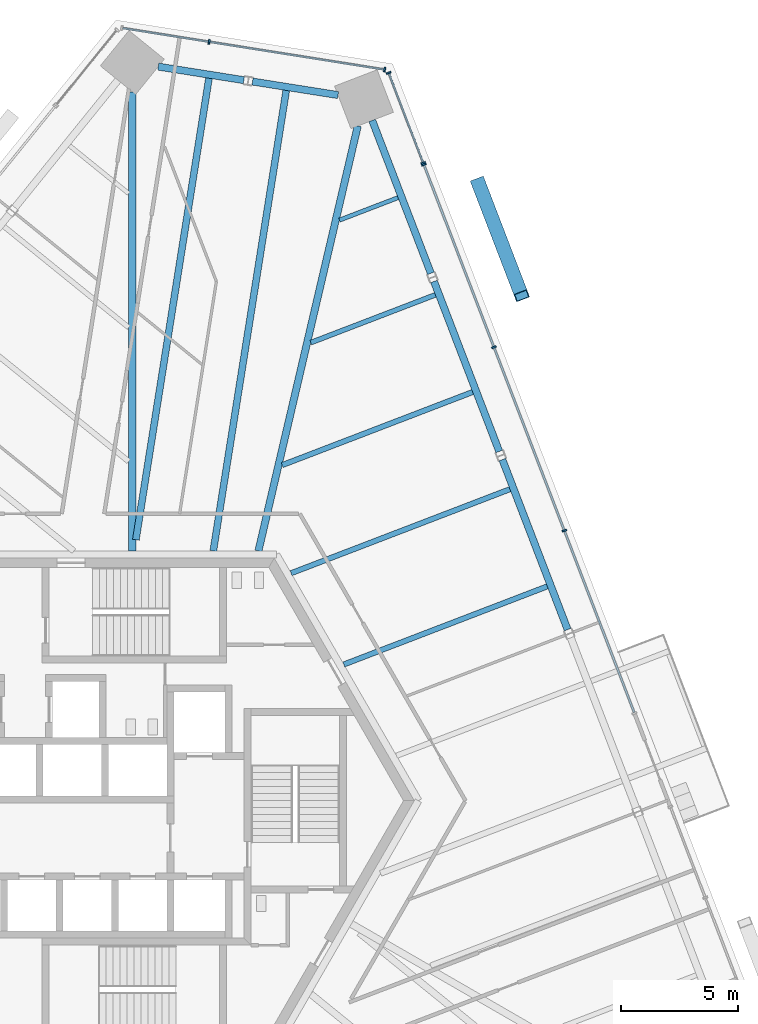
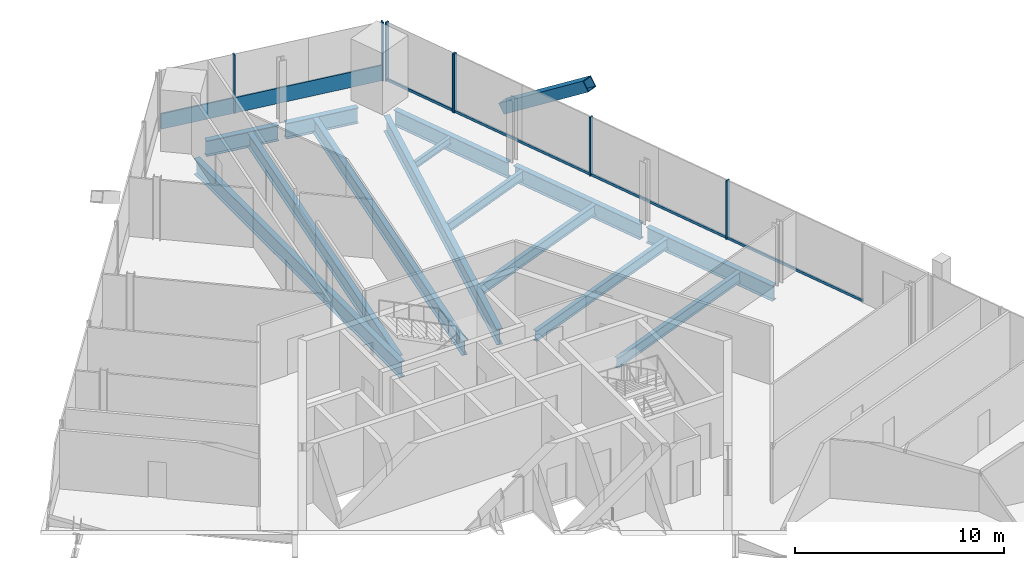
# One storey, part 9 of 19: 14 beams, 14 members, 3 elements without a shape of their own.
"""IFC4 building model written with IfcOpenShell, lengths in metres."""

from ifc_helpers import new_model, si_unit, direction, frame, origin, origin_2d, place, context, subcontext, project, spatial, rectangle, hollow_rectangle, i_section, extrude, source, transform, mapped, material, material_profile, profile_set, type_object, element, aggregate, save


model = new_model("IFC4")

# Units and contexts
model_context = context("Model", 3, precision=1e-05, world=origin(), true_north=direction((0.0, 1.0)))
body_context = subcontext(model_context, "Body", "Model", "MODEL_VIEW")
ifc_project = project(units=[si_unit("LENGTHUNIT", "METRE"), si_unit("AREAUNIT", "SQUARE_METRE"), si_unit("VOLUMEUNIT", "CUBIC_METRE"), si_unit("PLANEANGLEUNIT", "RADIAN"), si_unit("MASSUNIT", "GRAM", prefix="KILO")], contexts=[model_context])

# Site, building, storey
site_placement = place(None, origin())
site = spatial("IfcSite", under=ifc_project, at=site_placement, CompositionType="ELEMENT")
building_placement = place(site_placement, origin())
building = spatial("IfcBuilding", under=site, at=building_placement, Name="Triune Harvest Tower", CompositionType="ELEMENT")
storey_placement = place(building_placement, frame((0.0, 0.0, 142.5)))
storey = spatial("IfcBuildingStorey", under=building, at=storey_placement, Name="L36", CompositionType="ELEMENT", Elevation=142.5)

# Curtain wall, member
ifc_material_1 = material(Name="Aluminium bronze anodised", Category="aluminium")
curtain_wall_type_1 = type_object("IfcCurtainWallType", Name="CW-10 Balcony window wall with insulated spandrel infill", PredefinedType="NOTDEFINED", material=ifc_material_1)
curtain_wall_1_placement = place(storey_placement, origin())
curtain_wall_1 = element("IfcCurtainWall", 1, at=curtain_wall_1_placement, inside=storey, type_object=curtain_wall_type_1, Name="CW-10 B4-F1 L36 run 2")
ifc_material_2 = material(Name="Aluminium bronze anodised", Category="aluminium")
ifc_material_profile_1 = material_profile(ifc_material_2, rectangle(XDim=0.090087890625, YDim=0.14990234375, at=origin_2d()), Name="TR-6 transom 90 x 150")
ifc_profile_set_1 = profile_set([ifc_material_profile_1], Name="Aluminium bronze anodised")
member_type_1 = type_object("IfcMemberType", Name="TR-6 transom 90 x 150", PredefinedType="USERDEFINED", material=ifc_profile_set_1)
member_1_placement = place(storey_placement, frame((18.41552734375, 11.603271484375, 0.074951171875), z_axis=(-0.358365114761, 0.933581514664, 0.0), x_axis=(-0.933581514664, -0.358365114761, 0.0)))
member_1 = element("IfcMember", 2, at=member_1_placement, type_object=member_type_1, Name="CW-10 transom B4-F1 2.2", ObjectType="TRANSOM", PredefinedType="USERDEFINED", context=body_context, shape_type="SweptSolid", body=[
    extrude(rectangle(XDim=0.090087890625, YDim=0.14990234375, at=origin_2d()), origin(), (0.0, 0.0, 1.0), 8.34130859375),
])

# Beams
ifc_material_3 = material(Name="Steel ASTM A992 Gr 50", Category="steel")
ifc_material_profile_2 = material_profile(ifc_material_3, i_section(OverallWidth=0.3046875, OverallDepth=0.914306640625, WebThickness=0.0166015625, FlangeThickness=0.02587890625, at=origin_2d()), Name="W36x160")
ifc_profile_set_2 = profile_set([ifc_material_profile_2], Name="Steel ASTM A992 Gr 50")
beam_type_1 = type_object("IfcBeamType", Name="SB-1 Spandrel beam W36x160", PredefinedType="SPANDREL", material=ifc_profile_set_2)
shared_shape_1 = source(origin(), body_context, "Body", "SweptSolid", [
    extrude(i_section(OverallWidth=0.3046875, OverallDepth=0.914306640625, WebThickness=0.0166015625, FlangeThickness=0.02587890625, at=origin_2d()), origin(), (0.0, 0.0, 1.0), 7.013427734375),
])
beam_1_placement = place(storey_placement, frame((12.709716796875, 22.592041015625, -0.6171875), z_axis=(-0.358372513984, 0.93357867436, 0.0), x_axis=(-0.93357867436, -0.358372513984, 0.0)))
element("IfcBeam", 3, at=beam_1_placement, inside=storey, type_object=beam_type_1, Name="beam/L36/SB6", PredefinedType="SPANDREL", context=body_context, shape_type="MappedRepresentation", body=[
    mapped(shared_shape_1, transform((0.0, 0.0, 0.0), scale=1.0)),
])
shared_shape_2 = source(origin(), body_context, "Body", "SweptSolid", [
    extrude(i_section(OverallWidth=0.3046875, OverallDepth=0.914306640625, WebThickness=0.0166015625, FlangeThickness=0.02587890625, at=origin_2d()), origin(), (0.0, 0.0, 1.0), 7.8017578125),
])
for number, where, z_axis, x_axis, name in (
    (4, (18.569091796875, 7.327880859375, -0.6171875), (-0.358372974677, 0.933578497514, 0.0), (-0.933578497514, -0.358372974677, 0.0), "beam/L36/SB4"),
    (5, (15.639404296875, 14.9599609375, -0.6171875), (-0.358372974677, 0.933578497514, 0.0), (-0.933578497514, -0.358372974677, 0.0), "beam/L36/SB5"),
):
    element("IfcBeam", number, at=place(storey_placement, frame(where, z_axis=z_axis, x_axis=x_axis)), inside=storey, type_object=beam_type_1, Name=name, PredefinedType="SPANDREL", context=body_context, shape_type="MappedRepresentation", body=[
        mapped(shared_shape_2, transform((0.0, 0.0, 0.0), scale=1.0)),
    ])
shared_shape_3 = source(origin(), body_context, "Body", "SweptSolid", [
    extrude(i_section(OverallWidth=0.3046875, OverallDepth=0.914306640625, WebThickness=0.0166015625, FlangeThickness=0.02587890625, at=origin_2d()), origin(), (0.0, 0.0, 1.0), 3.71240234375),
])
for number, where, z_axis, x_axis, name in (
    (6, (8.735107421875, 30.225830078125, -0.6171875), (-0.987686063537, 0.156448841145, 0.0), (-0.156448841145, -0.987686063537, 0.0), "beam/L36/SB7"),
    (7, (4.699462890625, 30.864990234375, -0.6171875), (-0.987686063537, 0.156448841145, 0.0), (-0.156448841145, -0.987686063537, 0.0), "beam/L36/SB8"),
):
    element("IfcBeam", number, at=place(storey_placement, frame(where, z_axis=z_axis, x_axis=x_axis)), inside=storey, type_object=beam_type_1, Name=name, PredefinedType="SPANDREL", context=body_context, shape_type="MappedRepresentation", body=[
        mapped(shared_shape_3, transform((0.0, 0.0, 0.0), scale=1.0)),
    ])
ifc_material_4 = material(Name="Steel ASTM A992 Gr 50", Category="steel")
ifc_material_profile_3 = material_profile(ifc_material_4, i_section(OverallWidth=0.307373046875, OverallDepth=0.922119140625, WebThickness=0.018310546875, FlangeThickness=0.030029296875, at=origin_2d()), Name="W36x182")
ifc_profile_set_3 = profile_set([ifc_material_profile_3], Name="Steel ASTM A992 Gr 50")
beam_type_2 = type_object("IfcBeamType", Name="HG-2 Hip girder W36x182", PredefinedType="BEAM", material=ifc_profile_set_3)
shared_shape_4 = source(origin(), body_context, "Body", "SweptSolid", [
    extrude(i_section(OverallWidth=0.307373046875, OverallDepth=0.922119140625, WebThickness=0.018310546875, FlangeThickness=0.030029296875, at=origin_2d()), origin(), (0.0, 0.0, 1.0), 18.6962890625),
])
beam_2_placement = place(storey_placement, frame((9.578857421875, 28.902587890625, -0.62109375), z_axis=(-0.227605246905, -0.973753486043, 0.0), x_axis=(0.973753486043, -0.227605246905, 0.0)))
element("IfcBeam", 8, at=beam_2_placement, inside=storey, type_object=beam_type_2, Name="beam/L36/HG3", PredefinedType="BEAM", context=body_context, shape_type="MappedRepresentation", body=[
    mapped(shared_shape_4, transform((0.0, 0.0, 0.0), scale=1.0)),
])
shared_shape_5 = source(origin(), body_context, "Body", "SweptSolid", [
    extrude(i_section(OverallWidth=0.307373046875, OverallDepth=0.922119140625, WebThickness=0.018310546875, FlangeThickness=0.030029296875, at=origin_2d()), origin(), (0.0, 0.0, 1.0), 19.670166015625),
])
beam_3_placement = place(storey_placement, frame((-0.0791015625, 30.3671875, -0.62109375), z_axis=(0.0, -1.0, 0.0), x_axis=(1.0, 0.0, 0.0)))
element("IfcBeam", 9, at=beam_3_placement, inside=storey, type_object=beam_type_2, Name="beam/L36/HG4", PredefinedType="BEAM", context=body_context, shape_type="MappedRepresentation", body=[
    mapped(shared_shape_5, transform((0.0, 0.0, 0.0), scale=1.0)),
])
ifc_material_5 = material(Name="Steel ASTM A992 Gr 50", Category="steel")
ifc_material_profile_4 = material_profile(ifc_material_5, i_section(OverallWidth=0.22900390625, OverallDepth=0.612060546875, WebThickness=0.011962890625, FlangeThickness=0.01953125, at=origin_2d()), Name="W24x84")
ifc_profile_set_4 = profile_set([ifc_material_profile_4], Name="Steel ASTM A992 Gr 50")
beam_type_3 = type_object("IfcBeamType", Name="JT-3 Floor joist W24x84", PredefinedType="JOIST", material=ifc_profile_set_4)
shared_shape_6 = source(origin(), body_context, "Body", "SweptSolid", [
    extrude(i_section(OverallWidth=0.22900390625, OverallDepth=0.612060546875, WebThickness=0.011962890625, FlangeThickness=0.01953125, at=origin_2d()), origin(), (0.0, 0.0, 1.0), 9.33203125),
])
beam_4_placement = place(storey_placement, frame((17.694580078125, 9.180419921875, -0.466064453125), z_axis=(-0.933582072806, -0.358363660734, 0.0), x_axis=(0.358363660734, -0.933582072806, 0.0)))
element("IfcBeam", 10, at=beam_4_placement, inside=storey, type_object=beam_type_3, Name="beam/L36/JT6", PredefinedType="JOIST", context=body_context, shape_type="MappedRepresentation", body=[
    mapped(shared_shape_6, transform((0.0, 0.0, 0.0), scale=1.0)),
])
shared_shape_7 = source(origin(), body_context, "Body", "SweptSolid", [
    extrude(i_section(OverallWidth=0.22900390625, OverallDepth=0.612060546875, WebThickness=0.011962890625, FlangeThickness=0.01953125, at=origin_2d()), origin(), (0.0, 0.0, 1.0), 10.038330078125),
])
beam_5_placement = place(storey_placement, frame((16.0966796875, 13.343505859375, -0.466064453125), z_axis=(-0.933580465952, -0.358367846762, 0.0), x_axis=(0.358367846762, -0.933580465952, 0.0)))
element("IfcBeam", 11, at=beam_5_placement, inside=storey, type_object=beam_type_3, Name="beam/L36/JT7", PredefinedType="JOIST", context=body_context, shape_type="MappedRepresentation", body=[
    mapped(shared_shape_7, transform((0.0, 0.0, 0.0), scale=1.0)),
])
shared_shape_8 = source(origin(), body_context, "Body", "SweptSolid", [
    extrude(i_section(OverallWidth=0.22900390625, OverallDepth=0.612060546875, WebThickness=0.011962890625, FlangeThickness=0.01953125, at=origin_2d()), origin(), (0.0, 0.0, 1.0), 8.738037109375),
])
beam_6_placement = place(storey_placement, frame((14.498779296875, 17.50634765625, -0.466064453125), z_axis=(-0.933584472757, -0.358357408499, 0.0), x_axis=(0.358357408499, -0.933584472757, 0.0)))
element("IfcBeam", 12, at=beam_6_placement, inside=storey, type_object=beam_type_3, Name="beam/L36/JT8", PredefinedType="JOIST", context=body_context, shape_type="MappedRepresentation", body=[
    mapped(shared_shape_8, transform((0.0, 0.0, 0.0), scale=1.0)),
])
ifc_material_6 = material(Name="Steel ASTM A992 Gr 50", Category="steel")
ifc_material_profile_5 = material_profile(ifc_material_6, i_section(OverallWidth=0.2099609375, OverallDepth=0.535888671875, WebThickness=0.010986328125, FlangeThickness=0.017333984375, at=origin_2d()), Name="W21x68")
ifc_profile_set_5 = profile_set([ifc_material_profile_5], Name="Steel ASTM A992 Gr 50")
beam_type_4 = type_object("IfcBeamType", Name="JT-2 Floor joist W21x68", PredefinedType="JOIST", material=ifc_profile_set_5)
shared_shape_9 = source(origin(), body_context, "Body", "SweptSolid", [
    extrude(i_section(OverallWidth=0.2099609375, OverallDepth=0.535888671875, WebThickness=0.010986328125, FlangeThickness=0.017333984375, at=origin_2d()), origin(), (0.0, 0.0, 1.0), 5.712890625),
])
beam_7_placement = place(storey_placement, frame((12.90087890625, 21.669189453125, -0.427978515625), z_axis=(-0.933593203906, -0.358334661483, 0.0), x_axis=(0.358334661483, -0.933593203906, 0.0)))
element("IfcBeam", 13, at=beam_7_placement, inside=storey, type_object=beam_type_4, Name="beam/L36/JT9", PredefinedType="JOIST", context=body_context, shape_type="MappedRepresentation", body=[
    mapped(shared_shape_9, transform((0.0, 0.0, 0.0), scale=1.0)),
])
ifc_material_7 = material(Name="Steel ASTM A992 Gr 50", Category="steel")
ifc_material_profile_6 = material_profile(ifc_material_7, i_section(OverallWidth=0.180908203125, OverallDepth=0.41650390625, WebThickness=0.010986328125, FlangeThickness=0.01806640625, at=origin_2d()), Name="W16x57")
ifc_profile_set_6 = profile_set([ifc_material_profile_6], Name="Steel ASTM A992 Gr 50")
beam_type_5 = type_object("IfcBeamType", Name="JT-1 Floor joist W16x57", PredefinedType="JOIST", material=ifc_profile_set_6)
shared_shape_10 = source(origin(), body_context, "Body", "SweptSolid", [
    extrude(i_section(OverallWidth=0.180908203125, OverallDepth=0.41650390625, WebThickness=0.010986328125, FlangeThickness=0.01806640625, at=origin_2d()), origin(), (0.0, 0.0, 1.0), 2.687255859375),
])
beam_8_placement = place(storey_placement, frame((11.302734375, 25.832275390625, -0.368408203125), z_axis=(-0.933567867424, -0.358400665336, 0.0), x_axis=(0.358400665336, -0.933567867424, 0.0)))
element("IfcBeam", 14, at=beam_8_placement, inside=storey, type_object=beam_type_5, Name="beam/L36/JT10", PredefinedType="JOIST", context=body_context, shape_type="MappedRepresentation", body=[
    mapped(shared_shape_10, transform((0.0, 0.0, 0.0), scale=1.0)),
])
ifc_material_8 = material(Name="Steel ASTM A992 Gr 50", Category="steel")
ifc_material_profile_7 = material_profile(ifc_material_8, i_section(OverallWidth=0.2919921875, OverallDepth=0.8583984375, WebThickness=0.01708984375, FlangeThickness=0.031005859375, at=origin_2d()), Name="W33x169")
ifc_profile_set_7 = profile_set([ifc_material_profile_7], Name="Steel ASTM A992 Gr 50")
beam_type_6 = type_object("IfcBeamType", Name="JT-7 Floor joist W33x169", PredefinedType="JOIST", material=ifc_profile_set_7)
shared_shape_11 = source(origin(), body_context, "Body", "SweptSolid", [
    extrude(i_section(OverallWidth=0.2919921875, OverallDepth=0.8583984375, WebThickness=0.01708984375, FlangeThickness=0.031005859375, at=origin_2d()), origin(), (0.0, 0.0, 1.0), 19.97216796875),
])
beam_9_placement = place(storey_placement, frame((6.514404296875, 30.42333984375, -0.58935546875), z_axis=(-0.15643083518, -0.987688915502, 0.0), x_axis=(0.987688915502, -0.15643083518, 0.0)))
element("IfcBeam", 15, at=beam_9_placement, inside=storey, type_object=beam_type_6, Name="beam/L36/JT11", PredefinedType="JOIST", context=body_context, shape_type="MappedRepresentation", body=[
    mapped(shared_shape_11, transform((0.0, 0.0, 0.0), scale=1.0)),
])
shared_shape_12 = source(origin(), body_context, "Body", "SweptSolid", [
    extrude(i_section(OverallWidth=0.2919921875, OverallDepth=0.8583984375, WebThickness=0.01708984375, FlangeThickness=0.031005859375, at=origin_2d()), origin(), (0.0, 0.0, 1.0), 20.016845703125),
])
beam_10_placement = place(storey_placement, frame((3.205810546875, 30.947509765625, -0.58935546875), z_axis=(-0.156434798458, -0.987688287787, 0.0), x_axis=(0.987688287787, -0.156434798458, 0.0)))
element("IfcBeam", 16, at=beam_10_placement, inside=storey, type_object=beam_type_6, Name="beam/L36/JT12", PredefinedType="JOIST", context=body_context, shape_type="MappedRepresentation", body=[
    mapped(shared_shape_12, transform((0.0, 0.0, 0.0), scale=1.0)),
])

# Member
ifc_material_9 = material(Name="Steel ASTM A572 Gr 50", Category="steel")
ifc_material_profile_8 = material_profile(ifc_material_9, hollow_rectangle(XDim=0.60009765625, YDim=0.60009765625, WallThickness=0.0400390625, at=origin_2d()), Name="Box 600x600x40")
ifc_profile_set_8 = profile_set([ifc_material_profile_8], Name="Steel ASTM A572 Gr 50")
member_type_2 = type_object("IfcMemberType", Name="BR-2 Brace Box 600x600x40", PredefinedType="BRACE", material=ifc_profile_set_8)
shared_shape_13 = source(origin(), body_context, "Body", "SweptSolid", [
    extrude(hollow_rectangle(XDim=0.60009765625, YDim=0.60009765625, WallThickness=0.0400390625, at=origin_2d()), origin(), (0.0, 0.0, 1.0), 6.329345703125),
])
member_2_placement = place(storey_placement, frame((14.736083984375, 26.489990234375, 0.0), z_axis=(0.294776040194, -0.767837196559, 0.568799723724), x_axis=(0.933567833829, 0.358400752844, 0.0)))
element("IfcMember", 17, at=member_2_placement, inside=storey, type_object=member_type_2, Name="brace/B4-F1/d2/2", PredefinedType="BRACE", context=body_context, shape_type="MappedRepresentation", body=[
    mapped(shared_shape_13, transform((0.0, 0.0, 0.0), scale=1.0)),
])

# Curtain wall, members
ifc_material_10 = material(Name="Aluminium bronze anodised", Category="aluminium")
curtain_wall_type_2 = type_object("IfcCurtainWallType", Name="CW-1 Tower stick curtain wall", PredefinedType="NOTDEFINED", material=ifc_material_10)
curtain_wall_2_placement = place(storey_placement, origin())
curtain_wall_2 = element("IfcCurtainWall", 18, at=curtain_wall_2_placement, inside=storey, type_object=curtain_wall_type_2, Name="CW-1 B4-F2 L36 run 1")
ifc_material_11 = material(Name="Aluminium bronze anodised", Category="aluminium")
ifc_material_profile_9 = material_profile(ifc_material_11, rectangle(XDim=0.199951171875, YDim=0.074951171875, at=origin_2d()), Name="MU-1 mullion 75 x 200")
ifc_profile_set_9 = profile_set([ifc_material_profile_9], Name="Aluminium bronze anodised")
member_type_3 = type_object("IfcMemberType", Name="MU-1 mullion 75 x 200", PredefinedType="MULLION", material=ifc_profile_set_9)
shared_shape_14 = source(origin(), body_context, "Body", "SweptSolid", [
    extrude(rectangle(XDim=0.199951171875, YDim=0.074951171875, at=origin_2d()), origin(), (0.0, 0.0, 1.0), 3.43994140625),
])
member_3_placement = place(storey_placement, frame((10.730224609375, 31.31591796875, 0.0), z_axis=(0.0, 0.0, 1.0), x_axis=(-0.156432728322, -0.987688615663, 0.0)))
member_3 = element("IfcMember", 19, at=member_3_placement, type_object=member_type_3, Name="CW-1 mullion B4-F2 1.1", PredefinedType="MULLION", context=body_context, shape_type="MappedRepresentation", body=[
    mapped(shared_shape_14, transform((0.0, 0.0, 0.0), scale=1.0)),
])
member_4_placement = place(storey_placement, frame((3.21240234375, 32.506591796875, 0.0), z_axis=(0.0, 0.0, 1.0), x_axis=(-0.156432728322, -0.987688615663, 0.0)))
member_4 = element("IfcMember", 20, at=member_4_placement, type_object=member_type_3, Name="CW-1 mullion B4-F2 1.3", PredefinedType="MULLION", context=body_context, shape_type="MappedRepresentation", body=[
    mapped(shared_shape_14, transform((0.0, 0.0, 0.0), scale=1.0)),
])

# Member
ifc_material_12 = material(Name="Aluminium bronze anodised", Category="aluminium")
ifc_material_profile_10 = material_profile(ifc_material_12, rectangle(XDim=0.199951171875, YDim=0.074951171875, at=origin_2d()), Name="MU-6 mullion 75 x 200")
ifc_profile_set_10 = profile_set([ifc_material_profile_10], Name="Aluminium bronze anodised")
member_type_4 = type_object("IfcMemberType", Name="MU-6 mullion 75 x 200", PredefinedType="MULLION", material=ifc_profile_set_10)
shared_shape_15 = source(origin(), body_context, "Body", "SweptSolid", [
    extrude(rectangle(XDim=0.199951171875, YDim=0.074951171875, at=origin_2d()), origin(), (0.0, 0.0, 1.0), 3.43994140625),
])
member_5_placement = place(storey_placement, frame((18.428955078125, 11.568115234375, 0.0), z_axis=(0.0, 0.0, 1.0), x_axis=(-0.933580235122, -0.358368448094, 0.0)))
member_5 = element("IfcMember", 21, at=member_5_placement, type_object=member_type_4, Name="CW-10 mullion B4-F1 2.3", PredefinedType="MULLION", context=body_context, shape_type="MappedRepresentation", body=[
    mapped(shared_shape_15, transform((0.0, 0.0, 0.0), scale=1.0)),
])

member_6_placement = place(storey_placement, frame((15.412841796875, 19.42578125, 0.0), z_axis=(0.0, 0.0, 1.0), x_axis=(-0.933580235122, -0.358368448094, 0.0)))
member_6 = element("IfcMember", 22, at=member_6_placement, type_object=member_type_4, Name="CW-10 mullion B4-F1 2.5", PredefinedType="MULLION", context=body_context, shape_type="MappedRepresentation", body=[
    mapped(shared_shape_15, transform((0.0, 0.0, 0.0), scale=1.0)),
])

member_7_placement = place(storey_placement, frame((12.41015625, 27.248291015625, 0.0), z_axis=(0.0, 0.0, 1.0), x_axis=(-0.933580235122, -0.358368448094, 0.0)))
member_7 = element("IfcMember", 23, at=member_7_placement, type_object=member_type_4, Name="CW-10 mullion B4-F1 2.7", PredefinedType="MULLION", context=body_context, shape_type="MappedRepresentation", body=[
    mapped(shared_shape_15, transform((0.0, 0.0, 0.0), scale=1.0)),
])

# Curtain wall, members
ifc_material_13 = material(Name="Aluminium bronze anodised", Category="aluminium")
curtain_wall_type_3 = type_object("IfcCurtainWallType", Name="CW-6 Balcony window wall", PredefinedType="NOTDEFINED", material=ifc_material_13)
curtain_wall_3_placement = place(storey_placement, origin())
curtain_wall_3 = element("IfcCurtainWall", 24, at=curtain_wall_3_placement, inside=storey, type_object=curtain_wall_type_3, Name="CW-6 B4-F1 L36 run 1002")
member_8_placement = place(storey_placement, frame((12.383056640625, 27.318115234375, 0.0), z_axis=(0.0, 0.0, 1.0), x_axis=(-0.93357802048, -0.35837421737, 0.0)))
member_8 = element("IfcMember", 25, at=member_8_placement, type_object=member_type_4, Name="CW-6 mullion B4-F1 1002.1", PredefinedType="MULLION", context=body_context, shape_type="MappedRepresentation", body=[
    mapped(shared_shape_15, transform((0.0, 0.0, 0.0), scale=1.0)),
])
member_9_placement = place(storey_placement, frame((10.90185546875, 31.177001953125, 0.0), z_axis=(0.0, 0.0, 1.0), x_axis=(-0.93357802048, -0.35837421737, 0.0)))
member_9 = element("IfcMember", 26, at=member_9_placement, type_object=member_type_4, Name="CW-6 mullion B4-F1 1002.2", PredefinedType="MULLION", context=body_context, shape_type="MappedRepresentation", body=[
    mapped(shared_shape_15, transform((0.0, 0.0, 0.0), scale=1.0)),
])

# Member
shared_shape_16 = source(origin(), body_context, "Body", "SweptSolid", [
    extrude(rectangle(XDim=0.090087890625, YDim=0.14990234375, at=origin_2d()), origin(), (0.0, 0.0, 1.0), 8.303955078125),
])
member_10_placement = place(storey_placement, frame((21.41845703125, 3.78076171875, 0.074951171875), z_axis=(-0.358387973152, 0.933572739908, 0.0), x_axis=(-0.933572739908, -0.358387973152, 0.0)))
member_10 = element("IfcMember", 27, at=member_10_placement, type_object=member_type_1, Name="CW-10 transom B4-F1 2.1", ObjectType="TRANSOM", PredefinedType="USERDEFINED", context=body_context, shape_type="MappedRepresentation", body=[
    mapped(shared_shape_16, transform((0.0, 0.0, 0.0), scale=1.0)),
])

member_11_placement = place(storey_placement, frame((15.3994140625, 19.460693359375, 0.074951171875), z_axis=(-0.358362348799, 0.933582576403, 0.0), x_axis=(-0.933582576403, -0.358362348799, 0.0)))
member_11 = element("IfcMember", 28, at=member_11_placement, type_object=member_type_1, Name="CW-10 transom B4-F1 2.3", ObjectType="TRANSOM", PredefinedType="USERDEFINED", context=body_context, shape_type="MappedRepresentation", body=[
    mapped(shared_shape_16, transform((0.0, 0.0, 0.0), scale=1.0)),
])

aggregate(curtain_wall_1, [member_5, member_6, member_7, member_10, member_1, member_11])

shared_shape_17 = source(origin(), body_context, "Body", "SweptSolid", [
    extrude(rectangle(XDim=0.090087890625, YDim=0.14990234375, at=origin_2d()), origin(), (0.0, 0.0, 1.0), 4.05810546875),
])
member_12_placement = place(storey_placement, frame((12.36962890625, 27.353271484375, 0.074951171875), z_axis=(-0.358378326549, 0.933576443073, 0.0), x_axis=(-0.933576443073, -0.358378326549, 0.0)))
member_12 = element("IfcMember", 29, at=member_12_placement, type_object=member_type_1, Name="CW-6 transom B4-F1 1002.1", ObjectType="TRANSOM", PredefinedType="USERDEFINED", context=body_context, shape_type="MappedRepresentation", body=[
    mapped(shared_shape_17, transform((0.0, 0.0, 0.0), scale=1.0)),
])

aggregate(curtain_wall_3, [member_8, member_9, member_12])

ifc_material_14 = material(Name="Aluminium bronze anodised", Category="aluminium")
ifc_material_profile_11 = material_profile(ifc_material_14, rectangle(XDim=0.090087890625, YDim=0.89990234375, at=origin_2d()), Name="TR-1 transom 90 x 900")
ifc_profile_set_11 = profile_set([ifc_material_profile_11], Name="Aluminium bronze anodised")
member_type_5 = type_object("IfcMemberType", Name="TR-1 transom 90 x 900", PredefinedType="USERDEFINED", material=ifc_profile_set_11)
shared_shape_18 = source(origin(), body_context, "Body", "SweptSolid", [
    extrude(rectangle(XDim=0.090087890625, YDim=0.89990234375, at=origin_2d()), origin(), (0.0, 0.0, 1.0), 7.536376953125),
])
member_13_placement = place(storey_placement, frame((10.693115234375, 31.32177734375, 0.449951171875), z_axis=(-0.987688256511, 0.156434995923, 0.0), x_axis=(-0.156434995923, -0.987688256511, 0.0)))
member_13 = element("IfcMember", 30, at=member_13_placement, type_object=member_type_5, Name="CW-1 transom B4-F2 1.1", ObjectType="TRANSOM", PredefinedType="USERDEFINED", context=body_context, shape_type="MappedRepresentation", body=[
    mapped(shared_shape_18, transform((0.0, 0.0, 0.0), scale=1.0)),
])

shared_shape_19 = source(origin(), body_context, "Body", "SweptSolid", [
    extrude(rectangle(XDim=0.090087890625, YDim=0.89990234375, at=origin_2d()), origin(), (0.0, 0.0, 1.0), 3.7119140625),
])
member_14_placement = place(storey_placement, frame((3.17529296875, 32.512451171875, 0.449951171875), z_axis=(-0.987682843675, 0.156469167284, 0.0), x_axis=(-0.156469167284, -0.987682843675, 0.0)))
member_14 = element("IfcMember", 31, at=member_14_placement, type_object=member_type_5, Name="CW-1 transom B4-F2 1.2", ObjectType="TRANSOM", PredefinedType="USERDEFINED", context=body_context, shape_type="MappedRepresentation", body=[
    mapped(shared_shape_19, transform((0.0, 0.0, 0.0), scale=1.0)),
])

aggregate(curtain_wall_2, [member_3, member_4, member_13, member_14])

save(model, "model.ifc")
